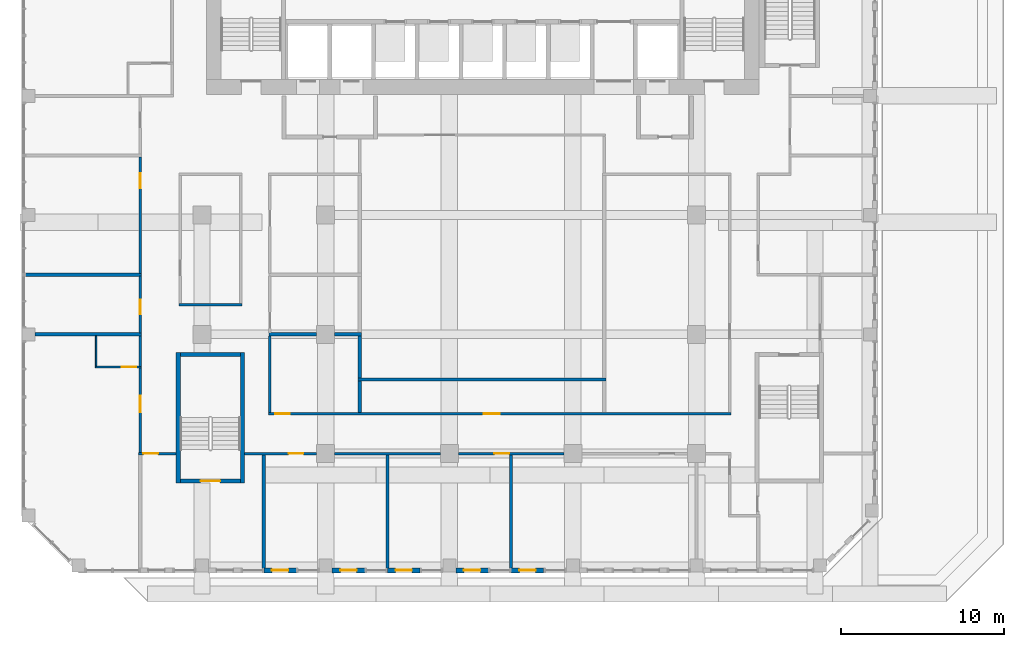
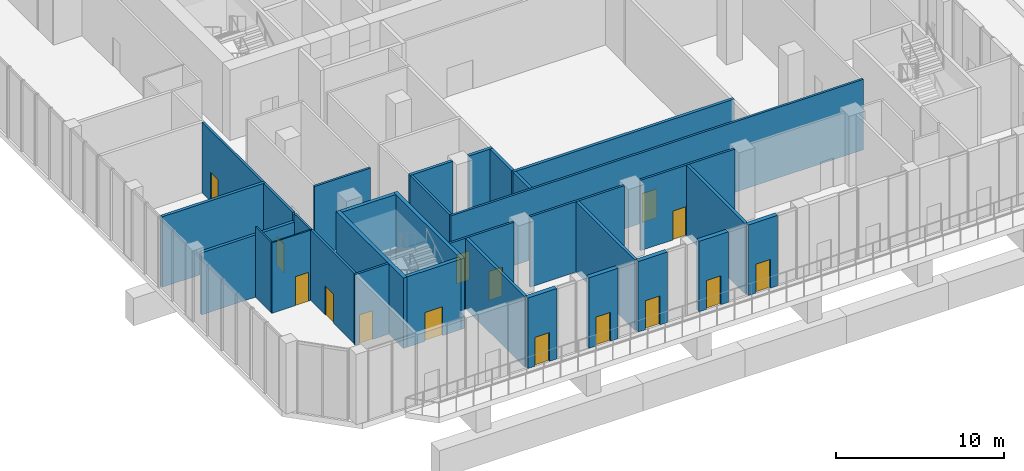
# One storey, part 9 of 19: 32 walls, 15 doors, 15 openings.
"""IFC4 building model written with IfcOpenShell, lengths in metres."""

from ifc_helpers import new_model, si_unit, direction, frame, frame_2d, origin, place, context, subcontext, project, spatial, rectangle, extrude, source, transform, mapped, material, layer, layer_set, type_object, element, fill, save


model = new_model("IFC4")

# Units and contexts
model_context = context("Model", 3, precision=1e-05, world=origin(), true_north=direction((0.0, 1.0)))
body_context = subcontext(model_context, "Body", "Model", "MODEL_VIEW")
ifc_project = project(units=[si_unit("LENGTHUNIT", "METRE"), si_unit("AREAUNIT", "SQUARE_METRE"), si_unit("VOLUMEUNIT", "CUBIC_METRE"), si_unit("PLANEANGLEUNIT", "RADIAN"), si_unit("MASSUNIT", "GRAM", prefix="KILO")], contexts=[model_context])

# Site, building, storey
site_placement = place(None, origin())
site = spatial("IfcSite", under=ifc_project, at=site_placement, CompositionType="ELEMENT")
building_placement = place(site_placement, origin())
building = spatial("IfcBuilding", under=site, at=building_placement, Name="Kilnfold Tower and Market Hall", CompositionType="ELEMENT")
storey_placement = place(building_placement, frame((0.0, 0.0, 138.5)))
storey = spatial("IfcBuildingStorey", under=building, at=storey_placement, Name="L31", CompositionType="ELEMENT", Elevation=138.5)

# Wall, opening, door
ifc_material_1 = material(Name="Gypsum board on steel studs", Category="steel")
ifc_layer_1 = layer(ifc_material_1, 0.14990234375)
ifc_layer_set_1 = layer_set([ifc_layer_1], Name="Gypsum board on steel studs")
wall_type_1 = type_object("IfcWallType", Name="WALL CORRIDOR 150", PredefinedType="PARTITIONING", material=ifc_layer_set_1)
wall_1_placement = place(storey_placement, frame((-13.550048828125, -13.93798828125, 0.0), z_axis=(0.0, 0.0, 1.0), x_axis=(1.0, 0.0, 0.0)))
wall_1 = element("IfcWall", 1, at=wall_1_placement, inside=storey, type_object=wall_type_1, Name="Partition LY20.1", PredefinedType="PARTITIONING", context=body_context, shape_type="SweptSolid", body=[
    extrude(rectangle(XDim=4.4169921875, YDim=0.14990234375, at=frame_2d((2.20849609375, 0.0))), origin(), (0.0, 0.0, 1.0), 5.1201171875),
])
opening_1_placement = place(wall_1_placement, frame((2.700927734375, 0.0, 0.0)))
opening_1 = element("IfcOpeningElement", 2, at=opening_1_placement, cuts=wall_1, Name="Opening D2", PredefinedType="OPENING", context=body_context, shape_type="SweptSolid", body=[
    extrude(rectangle(XDim=0.89990234375, YDim=2.10009765625, at=frame_2d((0.449951171875, 1.050048828125))), frame((0.0, 0.0849609375, 0.0), z_axis=(0.0, -1.0, 0.0), x_axis=(1.0, 0.0, 0.0)), (0.0, 0.0, 1.0), 0.169921875),
])
ifc_material_2 = material(Name="Timber veneer door leaf in steel frame", Category="steel")
door_type_1 = type_object("IfcDoorType", Name="DOOR ROOM 900 X2100", OperationType="NOTDEFINED", PredefinedType="DOOR", material=ifc_material_2)
door_1_placement = place(opening_1_placement, origin())
door_1 = element("IfcDoor", 3, at=door_1_placement, inside=storey, type_object=door_type_1, Name="Door D2", OperationType="SINGLE_SWING_RIGHT", OverallHeight=2.10009765625, OverallWidth=0.89990234375, PredefinedType="DOOR", context=body_context, shape_type="SweptSolid", body=[
    extrude(rectangle(XDim=0.89990234375, YDim=2.10009765625, at=frame_2d((0.449951171875, 1.050048828125))), frame((0.0, 0.02490234375, 0.0), z_axis=(0.0, -1.0, 0.0), x_axis=(1.0, 0.0, 0.0)), (0.0, 0.0, 1.0), 0.050048828125),
])
fill(opening_1, door_1)

wall_2_placement = place(storey_placement, frame((-20.05908203125, -13.93798828125, 0.0), z_axis=(0.0, 0.0, 1.0), x_axis=(1.0, 0.0, 0.0)))
wall_2 = element("IfcWall", 4, at=wall_2_placement, inside=storey, type_object=wall_type_1, Name="Partition LY20.2", PredefinedType="PARTITIONING", context=body_context, shape_type="SweptSolid", body=[
    extrude(rectangle(XDim=2.30908203125, YDim=0.14990234375, at=frame_2d((1.154541015625, 0.0))), origin(), (0.0, 0.0, 1.0), 5.1201171875),
])
opening_2_placement = place(wall_2_placement, frame((0.301025390625, 0.0, 0.0)))
opening_2 = element("IfcOpeningElement", 5, at=opening_2_placement, cuts=wall_2, Name="Opening D2", PredefinedType="OPENING", context=body_context, shape_type="SweptSolid", body=[
    extrude(rectangle(XDim=0.89990234375, YDim=2.10009765625, at=frame_2d((0.449951171875, 1.050048828125))), frame((0.0, 0.0849609375, 0.0), z_axis=(0.0, -1.0, 0.0), x_axis=(1.0, 0.0, 0.0)), (0.0, 0.0, 1.0), 0.169921875),
])
door_2_placement = place(opening_2_placement, origin())
door_2 = element("IfcDoor", 6, at=door_2_placement, inside=storey, type_object=door_type_1, Name="Door D2", OperationType="SINGLE_SWING_RIGHT", OverallHeight=2.10009765625, OverallWidth=0.89990234375, PredefinedType="DOOR", context=body_context, shape_type="SweptSolid", body=[
    extrude(rectangle(XDim=0.89990234375, YDim=2.10009765625, at=frame_2d((0.449951171875, 1.050048828125))), frame((0.0, 0.02490234375, 0.0), z_axis=(0.0, -1.0, 0.0), x_axis=(1.0, 0.0, 0.0)), (0.0, 0.0, 1.0), 0.050048828125),
])
fill(opening_2, door_2)

# Wall
wall_3_placement = place(storey_placement, frame((-8.032958984375, -13.93798828125, 0.0), z_axis=(0.0, 0.0, 1.0), x_axis=(1.0, 0.0, 0.0)))
element("IfcWall", 7, at=wall_3_placement, inside=storey, type_object=wall_type_1, Name="Partition LY20.3", PredefinedType="PARTITIONING", context=body_context, shape_type="SweptSolid", body=[
    extrude(rectangle(XDim=6.48291015625, YDim=0.14990234375, at=frame_2d((3.241455078125, 0.0))), origin(), (0.0, 0.0, 1.0), 5.1201171875),
])

# Wall, opening, door
wall_4_placement = place(storey_placement, frame((-0.449951171875, -13.93798828125, 0.0), z_axis=(0.0, 0.0, 1.0), x_axis=(1.0, 0.0, 0.0)))
wall_4 = element("IfcWall", 8, at=wall_4_placement, inside=storey, type_object=wall_type_1, Name="Partition LY20.4", PredefinedType="PARTITIONING", context=body_context, shape_type="SweptSolid", body=[
    extrude(rectangle(XDim=6.48291015625, YDim=0.14990234375, at=frame_2d((3.241455078125, 0.0))), origin(), (0.0, 0.0, 1.0), 5.1201171875),
])
opening_3_placement = place(wall_4_placement, frame((2.221923828125, 0.0, 0.0)))
opening_3 = element("IfcOpeningElement", 9, at=opening_3_placement, cuts=wall_4, Name="Opening D2", PredefinedType="OPENING", context=body_context, shape_type="SweptSolid", body=[
    extrude(rectangle(XDim=0.89990234375, YDim=2.10009765625, at=frame_2d((0.449951171875, 1.050048828125))), frame((0.0, 0.0849609375, 0.0), z_axis=(0.0, -1.0, 0.0), x_axis=(1.0, 0.0, 0.0)), (0.0, 0.0, 1.0), 0.169921875),
])
door_3_placement = place(opening_3_placement, origin())
door_3 = element("IfcDoor", 10, at=door_3_placement, inside=storey, type_object=door_type_1, Name="Door D2", OperationType="SINGLE_SWING_LEFT", OverallHeight=2.10009765625, OverallWidth=0.89990234375, PredefinedType="DOOR", context=body_context, shape_type="SweptSolid", body=[
    extrude(rectangle(XDim=0.89990234375, YDim=2.10009765625, at=frame_2d((0.449951171875, 1.050048828125))), frame((0.0, 0.02490234375, 0.0), z_axis=(0.0, -1.0, 0.0), x_axis=(1.0, 0.0, 0.0)), (0.0, 0.0, 1.0), 0.050048828125),
])
fill(opening_3, door_3)

wall_5_placement = place(storey_placement, frame((-19.958984375, -13.863037109375, 0.0), z_axis=(0.0, 0.0, 1.0), x_axis=(0.0, 1.0, 0.0)))
wall_5 = element("IfcWall", 11, at=wall_5_placement, inside=storey, type_object=wall_type_1, Name="Partition LY20.10", PredefinedType="PARTITIONING", context=body_context, shape_type="SweptSolid", body=[
    extrude(rectangle(XDim=5.197998046875, YDim=0.14990234375, at=frame_2d((2.59912109375, 0.0))), origin(), (0.0, 0.0, 1.0), 5.1201171875),
])
opening_4_placement = place(wall_5_placement, frame((2.4580078125, 0.0, 0.0)))
opening_4 = element("IfcOpeningElement", 12, at=opening_4_placement, cuts=wall_5, Name="Opening D1", PredefinedType="OPENING", context=body_context, shape_type="SweptSolid", body=[
    extrude(rectangle(XDim=1.0, YDim=2.10009765625, at=frame_2d((0.5, 1.050048828125))), frame((0.0, 0.0849609375, 0.0), z_axis=(0.0, -1.0, 0.0), x_axis=(1.0, 0.0, 0.0)), (0.0, 0.0, 1.0), 0.169921875),
])
ifc_material_3 = material(Name="Timber veneer door leaf in steel frame", Category="steel")
door_type_2 = type_object("IfcDoorType", Name="DOOR ENTRY 1000 X2100", OperationType="NOTDEFINED", PredefinedType="DOOR", material=ifc_material_3)
door_4_placement = place(opening_4_placement, origin())
door_4 = element("IfcDoor", 13, at=door_4_placement, inside=storey, type_object=door_type_2, Name="Door D1", OperationType="SINGLE_SWING_RIGHT", OverallHeight=2.10009765625, OverallWidth=1.0, PredefinedType="DOOR", context=body_context, shape_type="SweptSolid", body=[
    extrude(rectangle(XDim=1.0, YDim=2.10009765625, at=frame_2d((0.5, 1.050048828125))), frame((0.0, 0.02490234375, 0.0), z_axis=(0.0, -1.0, 0.0), x_axis=(1.0, 0.0, 0.0)), (0.0, 0.0, 1.0), 0.050048828125),
])
fill(opening_4, door_4)

# Wall
wall_6_placement = place(storey_placement, frame((-19.958984375, -8.5849609375, 0.0), z_axis=(0.0, 0.0, 1.0), x_axis=(0.0, 1.0, 0.0)))
element("IfcWall", 14, at=wall_6_placement, inside=storey, type_object=wall_type_1, Name="Partition LY20.11", PredefinedType="PARTITIONING", context=body_context, shape_type="SweptSolid", body=[
    extrude(rectangle(XDim=1.869873046875, YDim=0.14990234375, at=frame_2d((0.93505859375, 0.0))), origin(), (0.0, 0.0, 1.0), 5.1201171875),
])

# Wall, opening, door
wall_7_placement = place(storey_placement, frame((-19.958984375, -6.534912109375, 0.0), z_axis=(0.0, 0.0, 1.0), x_axis=(0.0, 1.0, 0.0)))
wall_7 = element("IfcWall", 15, at=wall_7_placement, inside=storey, type_object=wall_type_1, Name="Partition LY20.12", PredefinedType="PARTITIONING", context=body_context, shape_type="SweptSolid", body=[
    extrude(rectangle(XDim=3.475830078125, YDim=0.14990234375, at=frame_2d((1.73779296875, 0.0))), origin(), (0.0, 0.0, 1.0), 5.1201171875),
])
opening_5_placement = place(wall_7_placement, frame((1.133056640625, 0.0, 0.0)))
opening_5 = element("IfcOpeningElement", 16, at=opening_5_placement, cuts=wall_7, Name="Opening D2", PredefinedType="OPENING", context=body_context, shape_type="SweptSolid", body=[
    extrude(rectangle(XDim=0.89990234375, YDim=2.10009765625, at=frame_2d((0.449951171875, 1.050048828125))), frame((0.0, 0.0849609375, 0.0), z_axis=(0.0, -1.0, 0.0), x_axis=(1.0, 0.0, 0.0)), (0.0, 0.0, 1.0), 0.169921875),
])
door_5_placement = place(opening_5_placement, origin())
door_5 = element("IfcDoor", 17, at=door_5_placement, inside=storey, type_object=door_type_1, Name="Door D2", OperationType="SINGLE_SWING_LEFT", OverallHeight=2.10009765625, OverallWidth=0.89990234375, PredefinedType="DOOR", context=body_context, shape_type="SweptSolid", body=[
    extrude(rectangle(XDim=0.89990234375, YDim=2.10009765625, at=frame_2d((0.449951171875, 1.050048828125))), frame((0.0, 0.02490234375, 0.0), z_axis=(0.0, -1.0, 0.0), x_axis=(1.0, 0.0, 0.0)), (0.0, 0.0, 1.0), 0.050048828125),
])
fill(opening_5, door_5)

wall_8_placement = place(storey_placement, frame((-19.958984375, -2.87890625, 0.0), z_axis=(0.0, 0.0, 1.0), x_axis=(0.0, 1.0, 0.0)))
wall_8 = element("IfcWall", 18, at=wall_8_placement, inside=storey, type_object=wall_type_1, Name="Partition LY20.13", PredefinedType="PARTITIONING", context=body_context, shape_type="SweptSolid", body=[
    extrude(rectangle(XDim=7.1328125, YDim=0.14990234375, at=frame_2d((3.56640625, 0.0))), origin(), (0.0, 0.0, 1.0), 5.1201171875),
])
opening_6_placement = place(wall_8_placement, frame((5.22802734375, 0.0, 0.0)))
opening_6 = element("IfcOpeningElement", 19, at=opening_6_placement, cuts=wall_8, Name="Opening D2", PredefinedType="OPENING", context=body_context, shape_type="SweptSolid", body=[
    extrude(rectangle(XDim=0.89990234375, YDim=2.10009765625, at=frame_2d((0.449951171875, 1.050048828125))), frame((0.0, 0.0849609375, 0.0), z_axis=(0.0, -1.0, 0.0), x_axis=(1.0, 0.0, 0.0)), (0.0, 0.0, 1.0), 0.169921875),
])
door_6_placement = place(opening_6_placement, origin())
door_6 = element("IfcDoor", 20, at=door_6_placement, inside=storey, type_object=door_type_1, Name="Door D2", OperationType="SINGLE_SWING_LEFT", OverallHeight=2.10009765625, OverallWidth=0.89990234375, PredefinedType="DOOR", context=body_context, shape_type="SweptSolid", body=[
    extrude(rectangle(XDim=0.89990234375, YDim=2.10009765625, at=frame_2d((0.449951171875, 1.050048828125))), frame((0.0, 0.02490234375, 0.0), z_axis=(0.0, -1.0, 0.0), x_axis=(1.0, 0.0, 0.0)), (0.0, 0.0, 1.0), 0.050048828125),
])
fill(opening_6, door_6)

# Wall
wall_9_placement = place(storey_placement, frame((-12.0, -11.425048828125, 0.0), z_axis=(0.0, 0.0, 1.0), x_axis=(0.0, 1.0, 0.0)))
element("IfcWall", 21, at=wall_9_placement, inside=storey, type_object=wall_type_1, Name="Partition LY20.31", PredefinedType="PARTITIONING", context=body_context, shape_type="SweptSolid", body=[
    extrude(rectangle(XDim=4.7099609375, YDim=0.14990234375, at=frame_2d((2.35498046875, 0.0))), origin(), (0.0, 0.0, 1.0), 5.1201171875),
])

# Wall, openings, doors
wall_10_placement = place(storey_placement, frame((-12.074951171875, -11.5, 0.0), z_axis=(0.0, 0.0, 1.0), x_axis=(1.0, 0.0, 0.0)))
wall_10 = element("IfcWall", 22, at=wall_10_placement, inside=storey, type_object=wall_type_1, Name="Partition LY20.32", PredefinedType="PARTITIONING", context=body_context, shape_type="SweptSolid", body=[
    extrude(rectangle(XDim=28.349853515625, YDim=0.14990234375, at=frame_2d((14.1748046875, 0.0))), origin(), (0.0, 0.0, 1.0), 5.1201171875),
])
opening_7_placement = place(wall_10_placement, frame((0.404052734375, 0.0, 0.0)))
opening_7 = element("IfcOpeningElement", 23, at=opening_7_placement, cuts=wall_10, Name="Opening D2", PredefinedType="OPENING", context=body_context, shape_type="SweptSolid", body=[
    extrude(rectangle(XDim=0.89990234375, YDim=2.10009765625, at=frame_2d((0.449951171875, 1.050048828125))), frame((0.0, 0.0849609375, 0.0), z_axis=(0.0, -1.0, 0.0), x_axis=(1.0, 0.0, 0.0)), (0.0, 0.0, 1.0), 0.169921875),
])
opening_8_placement = place(wall_10_placement, frame((13.176025390625, 0.0, 0.0)))
opening_8 = element("IfcOpeningElement", 24, at=opening_8_placement, cuts=wall_10, Name="Opening D1", PredefinedType="OPENING", context=body_context, shape_type="SweptSolid", body=[
    extrude(rectangle(XDim=1.0, YDim=2.10009765625, at=frame_2d((0.5, 1.050048828125))), frame((0.0, 0.0849609375, 0.0), z_axis=(0.0, -1.0, 0.0), x_axis=(1.0, 0.0, 0.0)), (0.0, 0.0, 1.0), 0.169921875),
])
door_7_placement = place(opening_8_placement, origin())
door_7 = element("IfcDoor", 25, at=door_7_placement, inside=storey, type_object=door_type_2, Name="Door D1", OperationType="SINGLE_SWING_LEFT", OverallHeight=2.10009765625, OverallWidth=1.0, PredefinedType="DOOR", context=body_context, shape_type="SweptSolid", body=[
    extrude(rectangle(XDim=1.0, YDim=2.10009765625, at=frame_2d((0.5, 1.050048828125))), frame((0.0, 0.02490234375, 0.0), z_axis=(0.0, -1.0, 0.0), x_axis=(1.0, 0.0, 0.0)), (0.0, 0.0, 1.0), 0.050048828125),
])
fill(opening_8, door_7)
door_8_placement = place(opening_7_placement, origin())
door_8 = element("IfcDoor", 26, at=door_8_placement, inside=storey, type_object=door_type_1, Name="Door D2", OperationType="SINGLE_SWING_LEFT", OverallHeight=2.10009765625, OverallWidth=0.89990234375, PredefinedType="DOOR", context=body_context, shape_type="SweptSolid", body=[
    extrude(rectangle(XDim=0.89990234375, YDim=2.10009765625, at=frame_2d((0.449951171875, 1.050048828125))), frame((0.0, 0.02490234375, 0.0), z_axis=(0.0, -1.0, 0.0), x_axis=(1.0, 0.0, 0.0)), (0.0, 0.0, 1.0), 0.050048828125),
])
fill(opening_7, door_8)

# Walls
wall_11_placement = place(storey_placement, frame((-13.72509765625, -4.800048828125, 0.0), z_axis=(0.0, 0.0, 1.0), x_axis=(-1.0, 0.0, 0.0)))
element("IfcWall", 27, at=wall_11_placement, inside=storey, type_object=wall_type_1, Name="Partition LY20.38", PredefinedType="PARTITIONING", context=body_context, shape_type="SweptSolid", body=[
    extrude(rectangle(XDim=3.849853515625, YDim=0.14990234375, at=frame_2d((1.9248046875, 0.0))), origin(), (0.0, 0.0, 1.0), 5.1201171875),
])
ifc_material_4 = material(Name="Gypsum board on steel studs", Category="steel")
ifc_layer_2 = layer(ifc_material_4, 0.10009765625)
ifc_layer_set_2 = layer_set([ifc_layer_2], Name="Gypsum board on steel studs")
wall_type_2 = type_object("IfcWallType", Name="WALL PARTITION 100", PredefinedType="PARTITIONING", material=ifc_layer_set_2)
wall_12_placement = place(storey_placement, frame((-22.658935546875, -8.574951171875, 0.0), z_axis=(0.0, 0.0, 1.0), x_axis=(0.0, 1.0, 0.0)))
element("IfcWall", 28, at=wall_12_placement, inside=storey, type_object=wall_type_2, Name="Partition LY20.52", PredefinedType="PARTITIONING", context=body_context, shape_type="SweptSolid", body=[
    extrude(rectangle(XDim=1.849853515625, YDim=0.10009765625, at=frame_2d((0.9248046875, 0.0))), origin(), (0.0, 0.0, 1.0), 5.1201171875),
])

# Wall, opening, door
wall_13_placement = place(storey_placement, frame((-19.885986328125, -8.625, 0.0), z_axis=(0.0, 0.0, 1.0), x_axis=(-1.0, 0.0, 0.0)))
wall_13 = element("IfcWall", 29, at=wall_13_placement, inside=storey, type_object=wall_type_2, Name="Partition LY20.53", PredefinedType="PARTITIONING", context=body_context, shape_type="SweptSolid", body=[
    extrude(rectangle(XDim=2.822998046875, YDim=0.10009765625, at=frame_2d((1.41162109375, 0.0))), origin(), (0.0, 0.0, 1.0), 5.1201171875),
])
opening_9_placement = place(wall_13_placement, frame((0.302001953125, 0.0, 0.0)))
opening_9 = element("IfcOpeningElement", 30, at=opening_9_placement, cuts=wall_13, Name="Opening D3", PredefinedType="OPENING", context=body_context, shape_type="SweptSolid", body=[
    extrude(rectangle(XDim=0.89990234375, YDim=2.10009765625, at=frame_2d((0.449951171875, 1.050048828125))), frame((0.0, 0.06005859375, 0.0), z_axis=(0.0, -1.0, 0.0), x_axis=(1.0, 0.0, 0.0)), (0.0, 0.0, 1.0), 0.1201171875),
])
ifc_material_5 = material(Name="Timber veneer door leaf in steel frame", Category="steel")
door_type_3 = type_object("IfcDoorType", Name="DOOR WC 900 X2100", OperationType="NOTDEFINED", PredefinedType="DOOR", material=ifc_material_5)
door_9_placement = place(opening_9_placement, origin())
door_9 = element("IfcDoor", 31, at=door_9_placement, inside=storey, type_object=door_type_3, Name="Door D3", OperationType="SINGLE_SWING_RIGHT", OverallHeight=2.10009765625, OverallWidth=0.89990234375, PredefinedType="DOOR", context=body_context, shape_type="SweptSolid", body=[
    extrude(rectangle(XDim=0.89990234375, YDim=2.10009765625, at=frame_2d((0.449951171875, 1.050048828125))), frame((0.0, 0.02490234375, 0.0), z_axis=(0.0, -1.0, 0.0), x_axis=(1.0, 0.0, 0.0)), (0.0, 0.0, 1.0), 0.050048828125),
])
fill(opening_9, door_9)

# Walls
ifc_material_6 = material(Name="Gypsum board on steel studs", Category="steel")
ifc_layer_3 = layer(ifc_material_6, 0.199951171875)
ifc_layer_set_3 = layer_set([ifc_layer_3], Name="Gypsum board on steel studs")
wall_type_3 = type_object("IfcWallType", Name="WALL PARTY 200", PredefinedType="PARTITIONING", material=ifc_layer_set_3)
for number, where, z_axis, x_axis, name in (
    (32, (-12.375, -21.0, 0.0), (0.0, 0.0, 1.0), (0.0, 1.0, 0.0), "Partition LY20.45"),
    (33, (-4.7919921875, -21.0, 0.0), (0.0, 0.0, 1.0), (0.0, 1.0, 0.0), "Partition LY20.47"),
    (34, (2.7919921875, -21.0, 0.0), (0.0, 0.0, 1.0), (0.0, 1.0, 0.0), "Partition LY20.48"),
):
    element("IfcWall", number, at=place(storey_placement, frame(where, z_axis=z_axis, x_axis=x_axis)), inside=storey, type_object=wall_type_3, Name=name, PredefinedType="PARTITIONING", context=body_context, shape_type="SweptSolid", body=[
        extrude(rectangle(XDim=6.985107421875, YDim=0.199951171875, at=frame_2d((3.49267578125, 0.0))), origin(), (0.0, 0.0, 1.0), 5.1201171875),
    ])
wall_14_placement = place(storey_placement, frame((-26.39990234375, -6.625, 0.0), z_axis=(0.0, 0.0, 1.0), x_axis=(1.0, 0.0, 0.0)))
element("IfcWall", 35, at=wall_14_placement, inside=storey, type_object=wall_type_3, Name="Partition LY20.54", PredefinedType="PARTITIONING", context=body_context, shape_type="SweptSolid", body=[
    extrude(rectangle(XDim=6.513916015625, YDim=0.199951171875, at=frame_2d((3.2568359375, 0.0))), origin(), (0.0, 0.0, 1.0), 4.52001953125),
])
wall_15_placement = place(storey_placement, frame((-27.0, -2.968994140625, 0.0), z_axis=(0.0, 0.0, 1.0), x_axis=(1.0, 0.0, 0.0)))
element("IfcWall", 36, at=wall_15_placement, inside=storey, type_object=wall_type_3, Name="Partition LY20.55", PredefinedType="PARTITIONING", context=body_context, shape_type="SweptSolid", body=[
    extrude(rectangle(XDim=7.114013671875, YDim=0.199951171875, at=frame_2d((3.55712890625, 0.0))), origin(), (0.0, 0.0, 1.0), 5.1201171875),
])
wall_16_placement = place(storey_placement, frame((-12.072998046875, -6.625, 0.0), z_axis=(0.0, 0.0, 1.0), x_axis=(1.0, 0.0, 0.0)))
element("IfcWall", 37, at=wall_16_placement, inside=storey, type_object=wall_type_3, Name="Partition LY20.71", PredefinedType="PARTITIONING", context=body_context, shape_type="SweptSolid", body=[
    extrude(rectangle(XDim=2.93994140625, YDim=0.199951171875, at=frame_2d((1.469970703125, 0.0))), origin(), (0.0, 0.0, 1.0), 5.1201171875),
])
wall_17_placement = place(storey_placement, frame((-8.032958984375, -6.625, 0.0), z_axis=(0.0, 0.0, 1.0), x_axis=(1.0, 0.0, 0.0)))
element("IfcWall", 38, at=wall_17_placement, inside=storey, type_object=wall_type_3, Name="Partition LY20.72", PredefinedType="PARTITIONING", context=body_context, shape_type="SweptSolid", body=[
    extrude(rectangle(XDim=1.633056640625, YDim=0.199951171875, at=frame_2d((0.81640625, 0.0))), origin(), (0.0, 0.0, 1.0), 5.1201171875),
])
wall_18_placement = place(storey_placement, frame((-6.5, -11.423095703125, 0.0), z_axis=(0.0, 0.0, 1.0), x_axis=(0.0, 1.0, 0.0)))
element("IfcWall", 39, at=wall_18_placement, inside=storey, type_object=wall_type_3, Name="Partition LY20.73", PredefinedType="PARTITIONING", context=body_context, shape_type="SweptSolid", body=[
    extrude(rectangle(XDim=1.93310546875, YDim=0.199951171875, at=frame_2d((0.966552734375, 0.0))), origin(), (0.0, 0.0, 1.0), 5.1201171875),
])
wall_19_placement = place(storey_placement, frame((-6.5, -9.31005859375, 0.0), z_axis=(0.0, 0.0, 1.0), x_axis=(0.0, 1.0, 0.0)))
element("IfcWall", 40, at=wall_19_placement, inside=storey, type_object=wall_type_3, Name="Partition LY20.74", PredefinedType="PARTITIONING", context=body_context, shape_type="SweptSolid", body=[
    extrude(rectangle(XDim=2.5849609375, YDim=0.199951171875, at=frame_2d((1.29248046875, 0.0))), origin(), (0.0, 0.0, 1.0), 5.1201171875),
])
wall_20_placement = place(storey_placement, frame((8.60009765625, -9.39990234375, 0.0), z_axis=(0.0, 0.0, 1.0), x_axis=(-1.0, 0.0, 0.0)))
element("IfcWall", 41, at=wall_20_placement, inside=storey, type_object=wall_type_3, Name="Partition LY20.79", PredefinedType="PARTITIONING", context=body_context, shape_type="SweptSolid", body=[
    extrude(rectangle(XDim=15.2001953125, YDim=0.199951171875, at=frame_2d((7.60009765625, 0.0))), origin(), (0.0, 0.0, 1.0), 5.1201171875),
])

# Wall, opening, door
ifc_material_7 = material(Name="Concrete C70", Category="concrete")
ifc_layer_4 = layer(ifc_material_7, 0.25)
ifc_layer_set_4 = layer_set([ifc_layer_4], Name="Concrete C70")
wall_type_4 = type_object("IfcWallType", Name="CORE WALL 250 C70", PredefinedType="SHEAR", material=ifc_layer_set_4)
shared_shape_1 = source(origin(), body_context, "Body", "SweptSolid", [
    extrude(rectangle(XDim=3.699951171875, YDim=0.25, at=frame_2d((1.85009765625, 0.0))), origin(), (0.0, 0.0, 1.0), 5.1201171875),
])
wall_21_placement = place(storey_placement, frame((-17.5, -15.625, 0.0), z_axis=(0.0, 0.0, 1.0), x_axis=(1.0, 0.0, 0.0)))
wall_21 = element("IfcWall", 42, at=wall_21_placement, inside=storey, type_object=wall_type_4, Name="Stair enclosure ST3", PredefinedType="SHEAR", context=body_context, shape_type="MappedRepresentation", body=[
    mapped(shared_shape_1, transform((0.0, 0.0, 0.0))),
])
opening_10_placement = place(wall_21_placement, frame((1.25, 0.0, 0.0)))
opening_10 = element("IfcOpeningElement", 43, at=opening_10_placement, cuts=wall_21, Name="Opening SD1", PredefinedType="OPENING", context=body_context, shape_type="SweptSolid", body=[
    extrude(rectangle(XDim=1.199951171875, YDim=2.10009765625, at=frame_2d((0.60009765625, 1.050048828125))), frame((0.0, 0.135009765625, 0.0), z_axis=(0.0, -1.0, 0.0), x_axis=(1.0, 0.0, 0.0)), (0.0, 0.0, 1.0), 0.27001953125),
])
ifc_material_8 = material(Name="Steel door set with fire-resisting leaf", Category="steel")
door_type_4 = type_object("IfcDoorType", Name="STAIR FLOOR DOOR 1200X2100", OperationType="NOTDEFINED", PredefinedType="DOOR", material=ifc_material_8)
door_10_placement = place(opening_10_placement, origin())
door_10 = element("IfcDoor", 44, at=door_10_placement, inside=storey, type_object=door_type_4, Name="Exit stair ST3 door", OperationType="DOUBLE_DOOR_SINGLE_SWING", OverallHeight=2.10009765625, OverallWidth=1.199951171875, PredefinedType="DOOR", context=body_context, shape_type="SweptSolid", body=[
    extrude(rectangle(XDim=1.199951171875, YDim=2.10009765625, at=frame_2d((0.60009765625, 1.050048828125))), frame((0.0, 0.02490234375, 0.0), z_axis=(0.0, -1.0, 0.0), x_axis=(1.0, 0.0, 0.0)), (0.0, 0.0, 1.0), 0.050048828125),
])
fill(opening_10, door_10)

# Walls
wall_22_placement = place(storey_placement, frame((-17.5, -7.875, 0.0), z_axis=(0.0, 0.0, 1.0), x_axis=(1.0, 0.0, 0.0)))
element("IfcWall", 45, at=wall_22_placement, inside=storey, type_object=wall_type_4, Name="Stair enclosure ST3", PredefinedType="SHEAR", context=body_context, shape_type="MappedRepresentation", body=[
    mapped(shared_shape_1, transform((0.0, 0.0, 0.0))),
])
shared_shape_2 = source(origin(), body_context, "Body", "SweptSolid", [
    extrude(rectangle(XDim=8.0, YDim=0.25, at=frame_2d((4.0, 0.0))), origin(), (0.0, 0.0, 1.0), 5.1201171875),
])
for number, where, z_axis, x_axis, name in (
    (46, (-17.625, -15.75, 0.0), (0.0, 0.0, 1.0), (0.0, 1.0, 0.0), "Stair enclosure ST3"),
    (47, (-13.675048828125, -15.75, 0.0), (0.0, 0.0, 1.0), (0.0, 1.0, 0.0), "Stair enclosure ST3"),
):
    element("IfcWall", number, at=place(storey_placement, frame(where, z_axis=z_axis, x_axis=x_axis)), inside=storey, type_object=wall_type_4, Name=name, PredefinedType="SHEAR", context=body_context, shape_type="MappedRepresentation", body=[
        mapped(shared_shape_2, transform((0.0, 0.0, 0.0))),
    ])

# Wall, opening, door
ifc_material_9 = material(Name="Precast concrete C50/60", Category="concrete")
ifc_layer_5 = layer(ifc_material_9, 0.300048828125)
ifc_layer_set_5 = layer_set([ifc_layer_5], Name="Precast concrete C50/60")
wall_type_5 = type_object("IfcWallType", Name="PRECAST WALL 300", PredefinedType="SOLIDWALL", material=ifc_layer_set_5)
shared_shape_3 = source(origin(), body_context, "Body", "SweptSolid", [
    extrude(rectangle(XDim=2.0, YDim=0.300048828125, at=frame_2d((1.0, 0.0))), origin(), (0.0, 0.0, 1.0), 5.1201171875),
])
wall_23_placement = place(storey_placement, frame((-12.375, -21.10009765625, 0.0), z_axis=(0.0, 0.0, 1.0), x_axis=(1.0, 0.0, 0.0)))
wall_23 = element("IfcWall", 48, at=wall_23_placement, inside=storey, type_object=wall_type_5, Name="External wall L31 S", PredefinedType="SOLIDWALL", context=body_context, shape_type="MappedRepresentation", body=[
    mapped(shared_shape_3, transform((0.0, 0.0, 0.0))),
])
opening_11_placement = place(wall_23_placement, frame((0.5, 0.0, 0.0)))
opening_11 = element("IfcOpeningElement", 49, at=opening_11_placement, cuts=wall_23, Name="Opening BD1", PredefinedType="OPENING", context=body_context, shape_type="SweptSolid", body=[
    extrude(rectangle(XDim=1.0, YDim=2.10009765625, at=frame_2d((0.5, 1.050048828125))), frame((0.0, 0.16015625, 0.0), z_axis=(0.0, -1.0, 0.0), x_axis=(1.0, 0.0, 0.0)), (0.0, 0.0, 1.0), 0.320068359375),
])
ifc_material_10 = material(Name="Aluminium frame and double glazing", Category="aluminium")
door_type_5 = type_object("IfcDoorType", Name="BALCONY DOOR 1000X2100", OperationType="NOTDEFINED", PredefinedType="DOOR", material=ifc_material_10)
door_11_placement = place(opening_11_placement, origin())
door_11 = element("IfcDoor", 50, at=door_11_placement, inside=storey, type_object=door_type_5, Name="Balcony door BD1 L31 S-2", OperationType="SINGLE_SWING_RIGHT", OverallHeight=2.10009765625, OverallWidth=1.0, PredefinedType="DOOR", context=body_context, shape_type="SweptSolid", body=[
    extrude(rectangle(XDim=1.0, YDim=2.10009765625, at=frame_2d((0.5, 1.050048828125))), frame((0.0, 0.02490234375, 0.0), z_axis=(0.0, -1.0, 0.0), x_axis=(1.0, 0.0, 0.0)), (0.0, 0.0, 1.0), 0.050048828125),
])
fill(opening_11, door_11)

wall_24_placement = place(storey_placement, frame((-8.183349609375, -21.10009765625, 0.0), z_axis=(0.0, 0.0, 1.0), x_axis=(1.0, 0.0, 0.0)))
wall_24 = element("IfcWall", 51, at=wall_24_placement, inside=storey, type_object=wall_type_5, Name="External wall L31 S", PredefinedType="SOLIDWALL", context=body_context, shape_type="MappedRepresentation", body=[
    mapped(shared_shape_3, transform((0.0, 0.0, 0.0))),
])
opening_12_placement = place(wall_24_placement, frame((0.5, 0.0, 0.0)))
opening_12 = element("IfcOpeningElement", 52, at=opening_12_placement, cuts=wall_24, Name="Opening BD1", PredefinedType="OPENING", context=body_context, shape_type="SweptSolid", body=[
    extrude(rectangle(XDim=1.0, YDim=2.10009765625, at=frame_2d((0.5, 1.050048828125))), frame((0.0, 0.16015625, 0.0), z_axis=(0.0, -1.0, 0.0), x_axis=(1.0, 0.0, 0.0)), (0.0, 0.0, 1.0), 0.320068359375),
])
door_12_placement = place(opening_12_placement, origin())
door_12 = element("IfcDoor", 53, at=door_12_placement, inside=storey, type_object=door_type_5, Name="Balcony door BD1 L31 S-1", OperationType="SINGLE_SWING_LEFT", OverallHeight=2.10009765625, OverallWidth=1.0, PredefinedType="DOOR", context=body_context, shape_type="SweptSolid", body=[
    extrude(rectangle(XDim=1.0, YDim=2.10009765625, at=frame_2d((0.5, 1.050048828125))), frame((0.0, 0.02490234375, 0.0), z_axis=(0.0, -1.0, 0.0), x_axis=(1.0, 0.0, 0.0)), (0.0, 0.0, 1.0), 0.050048828125),
])
fill(opening_12, door_12)

wall_25_placement = place(storey_placement, frame((-4.79150390625, -21.10009765625, 0.0), z_axis=(0.0, 0.0, 1.0), x_axis=(1.0, 0.0, 0.0)))
wall_25 = element("IfcWall", 54, at=wall_25_placement, inside=storey, type_object=wall_type_5, Name="External wall L31 S", PredefinedType="SOLIDWALL", context=body_context, shape_type="MappedRepresentation", body=[
    mapped(shared_shape_3, transform((0.0, 0.0, 0.0))),
])
opening_13_placement = place(wall_25_placement, frame((0.5, 0.0, 0.0)))
opening_13 = element("IfcOpeningElement", 55, at=opening_13_placement, cuts=wall_25, Name="Opening BD1", PredefinedType="OPENING", context=body_context, shape_type="SweptSolid", body=[
    extrude(rectangle(XDim=1.0, YDim=2.10009765625, at=frame_2d((0.5, 1.050048828125))), frame((0.0, 0.16015625, 0.0), z_axis=(0.0, -1.0, 0.0), x_axis=(1.0, 0.0, 0.0)), (0.0, 0.0, 1.0), 0.320068359375),
])
door_13_placement = place(opening_13_placement, origin())
door_13 = element("IfcDoor", 56, at=door_13_placement, inside=storey, type_object=door_type_5, Name="Balcony door BD1 L31 S-2", OperationType="SINGLE_SWING_RIGHT", OverallHeight=2.10009765625, OverallWidth=1.0, PredefinedType="DOOR", context=body_context, shape_type="SweptSolid", body=[
    extrude(rectangle(XDim=1.0, YDim=2.10009765625, at=frame_2d((0.5, 1.050048828125))), frame((0.0, 0.02490234375, 0.0), z_axis=(0.0, -1.0, 0.0), x_axis=(1.0, 0.0, 0.0)), (0.0, 0.0, 1.0), 0.050048828125),
])
fill(opening_13, door_13)

wall_26_placement = place(storey_placement, frame((-0.60009765625, -21.10009765625, 0.0), z_axis=(0.0, 0.0, 1.0), x_axis=(1.0, 0.0, 0.0)))
wall_26 = element("IfcWall", 57, at=wall_26_placement, inside=storey, type_object=wall_type_5, Name="External wall L31 S", PredefinedType="SOLIDWALL", context=body_context, shape_type="MappedRepresentation", body=[
    mapped(shared_shape_3, transform((0.0, 0.0, 0.0))),
])
opening_14_placement = place(wall_26_placement, frame((0.5, 0.0, 0.0)))
opening_14 = element("IfcOpeningElement", 58, at=opening_14_placement, cuts=wall_26, Name="Opening BD1", PredefinedType="OPENING", context=body_context, shape_type="SweptSolid", body=[
    extrude(rectangle(XDim=1.0, YDim=2.10009765625, at=frame_2d((0.5, 1.050048828125))), frame((0.0, 0.16015625, 0.0), z_axis=(0.0, -1.0, 0.0), x_axis=(1.0, 0.0, 0.0)), (0.0, 0.0, 1.0), 0.320068359375),
])
door_14_placement = place(opening_14_placement, origin())
door_14 = element("IfcDoor", 59, at=door_14_placement, inside=storey, type_object=door_type_5, Name="Balcony door BD1 L31 S-1", OperationType="SINGLE_SWING_LEFT", OverallHeight=2.10009765625, OverallWidth=1.0, PredefinedType="DOOR", context=body_context, shape_type="SweptSolid", body=[
    extrude(rectangle(XDim=1.0, YDim=2.10009765625, at=frame_2d((0.5, 1.050048828125))), frame((0.0, 0.02490234375, 0.0), z_axis=(0.0, -1.0, 0.0), x_axis=(1.0, 0.0, 0.0)), (0.0, 0.0, 1.0), 0.050048828125),
])
fill(opening_14, door_14)

wall_27_placement = place(storey_placement, frame((2.79150390625, -21.10009765625, 0.0), z_axis=(0.0, 0.0, 1.0), x_axis=(1.0, 0.0, 0.0)))
wall_27 = element("IfcWall", 60, at=wall_27_placement, inside=storey, type_object=wall_type_5, Name="External wall L31 S", PredefinedType="SOLIDWALL", context=body_context, shape_type="MappedRepresentation", body=[
    mapped(shared_shape_3, transform((0.0, 0.0, 0.0))),
])
opening_15_placement = place(wall_27_placement, frame((0.5, 0.0, 0.0)))
opening_15 = element("IfcOpeningElement", 61, at=opening_15_placement, cuts=wall_27, Name="Opening BD1", PredefinedType="OPENING", context=body_context, shape_type="SweptSolid", body=[
    extrude(rectangle(XDim=1.0, YDim=2.10009765625, at=frame_2d((0.5, 1.050048828125))), frame((0.0, 0.16015625, 0.0), z_axis=(0.0, -1.0, 0.0), x_axis=(1.0, 0.0, 0.0)), (0.0, 0.0, 1.0), 0.320068359375),
])
door_15_placement = place(opening_15_placement, origin())
door_15 = element("IfcDoor", 62, at=door_15_placement, inside=storey, type_object=door_type_5, Name="Balcony door BD1 L31 S-2", OperationType="SINGLE_SWING_RIGHT", OverallHeight=2.10009765625, OverallWidth=1.0, PredefinedType="DOOR", context=body_context, shape_type="SweptSolid", body=[
    extrude(rectangle(XDim=1.0, YDim=2.10009765625, at=frame_2d((0.5, 1.050048828125))), frame((0.0, 0.02490234375, 0.0), z_axis=(0.0, -1.0, 0.0), x_axis=(1.0, 0.0, 0.0)), (0.0, 0.0, 1.0), 0.050048828125),
])
fill(opening_15, door_15)

save(model, "model.ifc")
